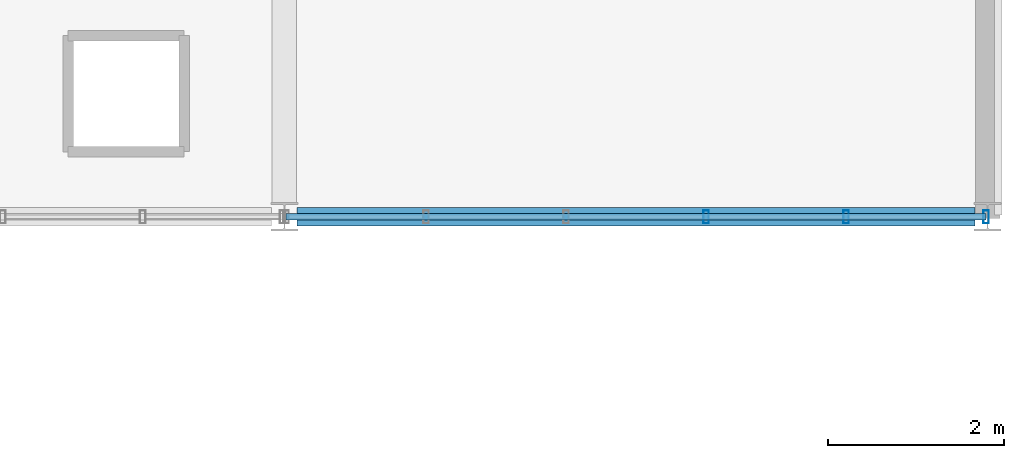
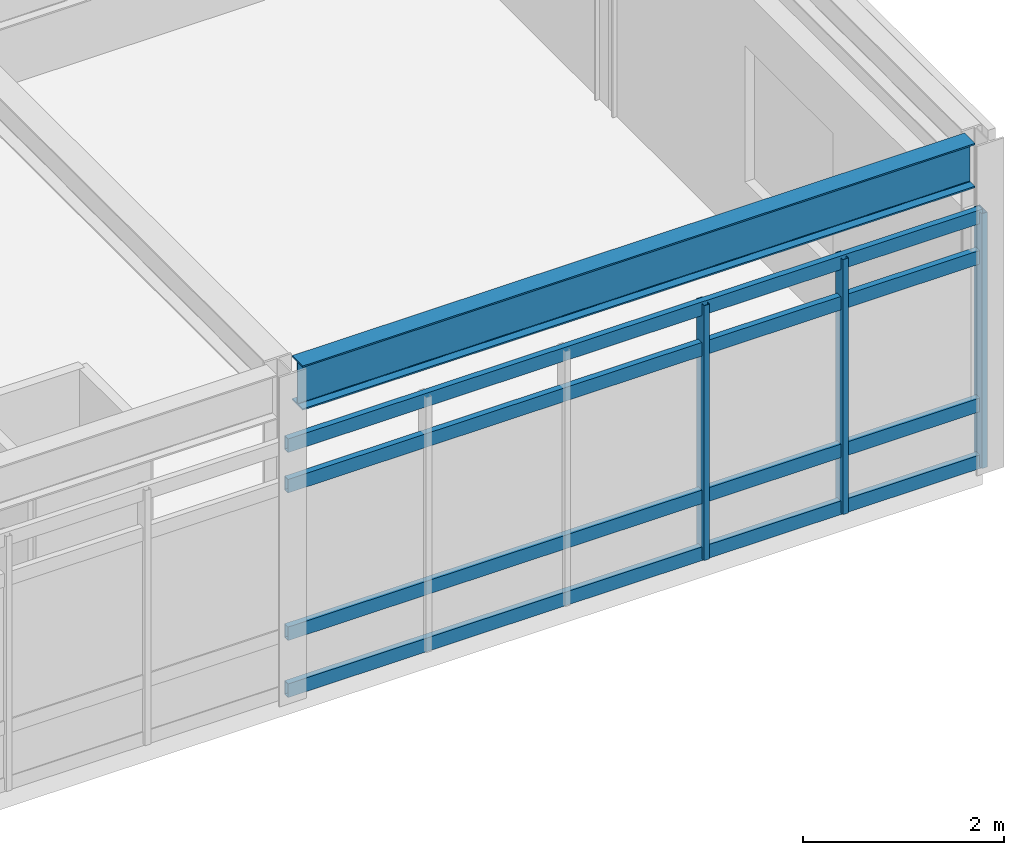
# One storey, part 52 of 85: 7 members, 1 beam, 1 element without a shape of its own.
"""IFC4 building model written with IfcOpenShell, lengths in metres."""

import ifcopenshell
import ifcopenshell.guid

model = None  # the IFC model being written
_history = None  # IfcOwnerHistory: only IFC2X3 demands one
_inside = {}  # id of a spatial element -> (the spatial element, [elements in it])
_under = {}  # id of a project, library or spatial element -> (it, [spatial elements below it])
_declared = {}  # id of a project -> (the project, [libraries it declares])
_typed = {}  # id of a type object -> (the type object, [elements of that type])
_made_of = {}  # id of a material, layer set ... -> (it, [elements and type objects made of it])


def new_model(schema):
    """Start an empty IFC model of exactly this schema.

    Asked for "IFC4X3", IfcOpenShell would pick the latest addendum, in which some entities
    have other attributes; the version numbers below select the first issue.
    IFC2X3 requires an IfcOwnerHistory on every rooted entity: one is made here for all.
    """
    global model, _history
    if schema == "IFC4X3":
        model = ifcopenshell.file(schema_version=(4, 3, 0, 0))
    else:
        model = ifcopenshell.file(schema=schema)
    _inside.clear()
    _under.clear()
    _declared.clear()
    _typed.clear()
    _made_of.clear()
    _history = None
    if model.schema == "IFC2X3":
        org = make("IfcOrganization", Name="unknown")
        user = make(
            "IfcPersonAndOrganization",
            ThePerson=make("IfcPerson", FamilyName="unknown"),
            TheOrganization=org,
        )
        app = make(
            "IfcApplication",
            ApplicationDeveloper=org,
            Version="unknown",
            ApplicationFullName="unknown",
            ApplicationIdentifier="unknown",
        )
        _history = make(
            "IfcOwnerHistory",
            OwningUser=user,
            OwningApplication=app,
            ChangeAction="ADDED",
            CreationDate=0,
        )
    return model


def make(cls, **values):
    """One entity of the class cls with the attributes given. An attribute that is None is left unset."""
    return model.create_entity(
        cls, **{name: value for name, value in values.items() if value is not None}
    )


def rooted(cls, **values):
    """An entity with a GlobalId (a new one), such as an element, a storey or a relation."""
    return make(cls, GlobalId=ifcopenshell.guid.new(), OwnerHistory=_history, **values)


def si_unit(unit_type, name, prefix=None):
    """IfcSIUnit, for example si_unit("LENGTHUNIT", "METRE", prefix="MILLI")."""
    return make("IfcSIUnit", UnitType=unit_type, Prefix=prefix, Name=name)


def assignment(units):
    """IfcUnitAssignment: the units of a project."""
    return None if units is None else make("IfcUnitAssignment", Units=units)


def point(xyz):
    """IfcCartesianPoint."""
    return None if xyz is None else make("IfcCartesianPoint", Coordinates=xyz)


def direction(xyz):
    """IfcDirection."""
    return None if xyz is None else make("IfcDirection", DirectionRatios=xyz)


def frame(location, z_axis=None, x_axis=None):
    """IfcAxis2Placement3D, a coordinate frame: its origin and axes. An axis left out is left unset."""
    return make(
        "IfcAxis2Placement3D",
        Location=point(location),
        Axis=direction(z_axis),
        RefDirection=direction(x_axis),
    )


def frame_2d(location, x_axis=None):
    """IfcAxis2Placement2D, a coordinate frame in the plane: its origin and x axis."""
    return make(
        "IfcAxis2Placement2D", Location=point(location), RefDirection=direction(x_axis)
    )


def origin():
    """The frame at (0, 0, 0) with its axes left unset."""
    return frame((0.0, 0.0, 0.0))


def origin_2d():
    """The frame at (0, 0) in the plane with its x axis left unset."""
    return frame_2d((0.0, 0.0))


def place(relative_to, where):
    """IfcLocalPlacement: puts the frame where relative to a parent placement (None: the world)."""
    return make(
        "IfcLocalPlacement", PlacementRelTo=relative_to, RelativePlacement=where
    )


def context(
    kind, dimensions, precision=None, world=None, true_north=None, identifier=None
):
    """IfcGeometricRepresentationContext, for example the 3D "Model" context."""
    return make(
        "IfcGeometricRepresentationContext",
        ContextIdentifier=identifier,
        ContextType=kind,
        CoordinateSpaceDimension=dimensions,
        Precision=precision,
        WorldCoordinateSystem=world,
        TrueNorth=true_north,
    )


def subcontext(parent, identifier, kind, view, scale=None):
    """IfcGeometricRepresentationSubContext, for example "Body" below "Model"."""
    return make(
        "IfcGeometricRepresentationSubContext",
        ContextIdentifier=identifier,
        ContextType=kind,
        ParentContext=parent,
        TargetScale=scale,
        TargetView=view,
    )


def project(units=None, contexts=None):
    """IfcProject with its units and contexts."""
    return rooted(
        "IfcProject",
        Name="project",
        RepresentationContexts=contexts,
        UnitsInContext=assignment(units),
    )


def spatial(cls, under=None, at=None, **own):
    """A site, building, storey or space (cls), placed at a placement, below another one or the project."""
    s = rooted(cls, ObjectPlacement=at, **own)
    if under is not None:
        _under.setdefault(under.id(), (under, []))[1].append(s)
    return s


def profile(cls, at=None, kind="AREA", **sizes):
    """A parametric profile (cls). Its sizes go by their IFC names, for example OverallWidth=200.0."""
    return make(cls, ProfileType=kind, Position=at, **sizes)


def hollow_rectangle(**sizes):
    """IfcRectangleHollowProfileDef."""
    return profile("IfcRectangleHollowProfileDef", **sizes)


def i_section(**sizes):
    """IfcIShapeProfileDef."""
    return profile("IfcIShapeProfileDef", **sizes)


def extrude(swept, where, along, depth):
    """IfcExtrudedAreaSolid: the profile swept, set in the frame where, extruded along a direction by depth."""
    return make(
        "IfcExtrudedAreaSolid",
        SweptArea=swept,
        Position=where,
        ExtrudedDirection=direction(along),
        Depth=depth,
    )


def shape(context_of_items, identifier, shape_type, items):
    """IfcShapeRepresentation: the items that make up one representation, for example the "Body"."""
    return make(
        "IfcShapeRepresentation",
        ContextOfItems=context_of_items,
        RepresentationIdentifier=identifier,
        RepresentationType=shape_type,
        Items=items,
    )


def material(Name=None, Category=None):
    """IfcMaterial."""
    return make("IfcMaterial", Name=Name, Category=Category)


def material_profile(
    of_material, cross_section, Name=None, Category=None, Priority=None
):
    """IfcMaterialProfile: a cross section and its material."""
    return make(
        "IfcMaterialProfile",
        Name=Name,
        Material=of_material,
        Profile=cross_section,
        Priority=Priority,
        Category=Category,
    )


def profile_set(profiles, Name=None, composite=None):
    """IfcMaterialProfileSet."""
    return make(
        "IfcMaterialProfileSet",
        Name=Name,
        MaterialProfiles=profiles,
        CompositeProfile=composite,
    )


def made_of(thing, what):
    """Note that an element or type object is made of a material, layer set ...; save() writes the relation."""
    if what is not None:
        _made_of.setdefault(what.id(), (what, []))[1].append(thing)
    return thing


def type_object(cls, material=None, **own):
    """A type object (cls), such as IfcWallType, which elements share."""
    return made_of(rooted(cls, **own), material)


def element(
    cls,
    number,
    at=None,
    inside=None,
    cuts=None,
    type_object=None,
    material=None,
    context=None,
    identifier="Body",
    shape_type=None,
    held_by="IfcProductDefinitionShape",
    body=None,
    shapes=None,
    **own,
):
    """One element of the class cls, such as IfcWall. Its Tag is "e" and its number.

    at: its placement. inside: the storey or other place that contains it. cuts: it is an
    opening in that element (IfcRelVoidsElement). A single representation is given by context,
    identifier, shape_type and body (its items); several are given by shapes. held_by: the class
    of the entity that holds the representations. save() writes the other relations.
    """
    e = rooted(cls, Tag="e%d" % number, ObjectPlacement=at, **own)
    if body is not None:
        shapes = [shape(context, identifier, shape_type, body)]
    if shapes is not None:
        e.Representation = make(held_by, Representations=shapes)
    if inside is not None:
        _inside.setdefault(inside.id(), (inside, []))[1].append(e)
    if cuts is not None:
        rooted(
            "IfcRelVoidsElement", RelatingBuildingElement=cuts, RelatedOpeningElement=e
        )
    if type_object is not None:
        _typed.setdefault(type_object.id(), (type_object, []))[1].append(e)
    return made_of(e, material)


def aggregate(whole, parts):
    """IfcRelAggregates: a whole, such as a stair, and the parts it consists of."""
    return rooted("IfcRelAggregates", RelatingObject=whole, RelatedObjects=parts)


def save(model, path):
    """Write the relations noted so far, then the file.

    IfcRelAggregates (storeys below a building ...), IfcRelContainedInSpatialStructure (elements
    in a storey), IfcRelDefinesByType, IfcRelAssociatesMaterial and IfcRelDeclares: one each for
    every whole, place, type object, material and project.
    """
    for whole, parts in _under.values():
        aggregate(whole, parts)
    for where, things in _inside.values():
        rooted(
            "IfcRelContainedInSpatialStructure",
            RelatedElements=things,
            RelatingStructure=where,
        )
    for kind, things in _typed.values():
        rooted("IfcRelDefinesByType", RelatedObjects=things, RelatingType=kind)
    for what, things in _made_of.values():
        rooted("IfcRelAssociatesMaterial", RelatedObjects=things, RelatingMaterial=what)
    for by, libraries in _declared.values():
        rooted("IfcRelDeclares", RelatingContext=by, RelatedDefinitions=libraries)
    model.write(path)


model = new_model("IFC4")

# Units and contexts
model_context = context("Model", 3, precision=1e-05, world=origin(), true_north=direction((0.0, 1.0)))
body_context = subcontext(model_context, "Body", "Model", "MODEL_VIEW")
ifc_project = project(units=[si_unit("LENGTHUNIT", "METRE"), si_unit("AREAUNIT", "SQUARE_METRE"), si_unit("VOLUMEUNIT", "CUBIC_METRE"), si_unit("PLANEANGLEUNIT", "RADIAN"), si_unit("MASSUNIT", "GRAM", prefix="KILO")], contexts=[model_context])

# Site, building, storey
site_placement = place(None, origin())
site = spatial("IfcSite", under=ifc_project, at=site_placement, CompositionType="ELEMENT")
building_placement = place(site_placement, origin())
building = spatial("IfcBuilding", under=site, at=building_placement, Name="Zulena Civic Courthouse", CompositionType="ELEMENT")
storey_placement = place(building_placement, frame((0.0, 0.0, 25.199951171875)))
storey = spatial("IfcBuildingStorey", under=building, at=storey_placement, Name="L05", CompositionType="ELEMENT", Elevation=25.199951171875)

# Curtain wall, members
ifc_material_1 = material(Name="Double-silver low-E laminated solar-control glass", Category="glass")
curtain_wall_type = type_object("IfcCurtainWallType", Name="CW_7964x3090", PredefinedType="USERDEFINED", material=ifc_material_1)
curtain_wall_placement = place(storey_placement, origin())
curtain_wall = element("IfcCurtainWall", 1, at=curtain_wall_placement, inside=storey, type_object=curtain_wall_type, Name="cw:V3:L05:3:0", ObjectType="UNITISED CURTAIN WALL", PredefinedType="USERDEFINED")
ifc_material_2 = material(Name="Bronze anodised thermally broken aluminium AA6063-T6", Category="aluminium")
ifc_material_profile_1 = material_profile(ifc_material_2, hollow_rectangle(XDim=0.06494140625, YDim=0.14990234375, WallThickness=0.00390625, at=origin_2d()), Name="CWM150X65X4")
ifc_profile_set_1 = profile_set([ifc_material_profile_1], Name="Bronze anodised thermally broken aluminium AA6063-T6")
member_type_1 = type_object("IfcMemberType", Name="CWMullion_150x65", PredefinedType="MULLION", material=ifc_profile_set_1)
member_1_placement = place(storey_placement, frame((163.98193359375, 30.800048828125, 0.0), z_axis=(0.0, 0.0, 1.0), x_axis=(1.0, 0.0, 0.0)))
member_1 = element("IfcMember", 2, at=member_1_placement, type_object=member_type_1, Name="cw:V3:L05:3:0:mull:0", PredefinedType="MULLION", context=body_context, shape_type="SweptSolid", body=[
    extrude(hollow_rectangle(XDim=0.06494140625, YDim=0.14990234375, WallThickness=0.00390625, at=origin_2d()), origin(), (0.0, 0.0, 1.0), 3.090087890625),
])
member_2_placement = place(storey_placement, frame((162.38916015625, 30.800048828125, 0.0), z_axis=(0.0, 0.0, 1.0), x_axis=(1.0, 0.0, 0.0)))
member_2 = element("IfcMember", 3, at=member_2_placement, type_object=member_type_1, Name="cw:V3:L05:3:0:mull:1", PredefinedType="MULLION", context=body_context, shape_type="SweptSolid", body=[
    extrude(hollow_rectangle(XDim=0.06494140625, YDim=0.14990234375, WallThickness=0.00390625, at=origin_2d()), origin(), (0.0, 0.0, 1.0), 3.090087890625),
])
member_3_placement = place(storey_placement, frame((160.79638671875, 30.800048828125, 0.0), z_axis=(0.0, 0.0, 1.0), x_axis=(1.0, 0.0, 0.0)))
member_3 = element("IfcMember", 4, at=member_3_placement, type_object=member_type_1, Name="cw:V3:L05:3:0:mull:2", PredefinedType="MULLION", context=body_context, shape_type="SweptSolid", body=[
    extrude(hollow_rectangle(XDim=0.06494140625, YDim=0.14990234375, WallThickness=0.00390625, at=origin_2d()), origin(), (0.0, 0.0, 1.0), 3.090087890625),
])
ifc_material_profile_2 = material_profile(ifc_material_2, hollow_rectangle(XDim=0.070068359375, YDim=0.1650390625, WallThickness=0.00390625, at=origin_2d()), Name="CWT165X70X4")
ifc_profile_set_2 = profile_set([ifc_material_profile_2], Name="Bronze anodised thermally broken aluminium AA6063-T6")
member_type_2 = type_object("IfcMemberType", Name="CWTransom_165x70", PredefinedType="USERDEFINED", material=ifc_profile_set_2)
member_4_placement = place(storey_placement, frame((163.98193359375, 30.800048828125, 0.06005859375), z_axis=(-1.0, 0.0, 0.0), x_axis=(0.0, -1.0, 0.0)))
member_4 = element("IfcMember", 5, at=member_4_placement, type_object=member_type_2, Name="cw:V3:L05:3:0:tran:0", ObjectType="TRANSOM", PredefinedType="USERDEFINED", context=body_context, shape_type="SweptSolid", body=[
    extrude(hollow_rectangle(XDim=0.070068359375, YDim=0.1650390625, WallThickness=0.00390625, at=origin_2d()), origin(), (0.0, 0.0, 1.0), 7.9638671875),
])
member_5_placement = place(storey_placement, frame((163.98193359375, 30.800048828125, 0.75), z_axis=(-1.0, 0.0, 0.0), x_axis=(0.0, -1.0, 0.0)))
member_5 = element("IfcMember", 6, at=member_5_placement, type_object=member_type_2, Name="cw:V3:L05:3:0:tran:1", ObjectType="TRANSOM", PredefinedType="USERDEFINED", context=body_context, shape_type="SweptSolid", body=[
    extrude(hollow_rectangle(XDim=0.070068359375, YDim=0.1650390625, WallThickness=0.00390625, at=origin_2d()), origin(), (0.0, 0.0, 1.0), 7.9638671875),
])
member_6_placement = place(storey_placement, frame((163.98193359375, 30.800048828125, 2.5400390625), z_axis=(-1.0, 0.0, 0.0), x_axis=(0.0, -1.0, 0.0)))
member_6 = element("IfcMember", 7, at=member_6_placement, type_object=member_type_2, Name="cw:V3:L05:3:0:tran:2", ObjectType="TRANSOM", PredefinedType="USERDEFINED", context=body_context, shape_type="SweptSolid", body=[
    extrude(hollow_rectangle(XDim=0.070068359375, YDim=0.1650390625, WallThickness=0.00390625, at=origin_2d()), origin(), (0.0, 0.0, 1.0), 7.9638671875),
])
member_7_placement = place(storey_placement, frame((163.98193359375, 30.800048828125, 3.030029296875), z_axis=(-1.0, 0.0, 0.0), x_axis=(0.0, -1.0, 0.0)))
member_7 = element("IfcMember", 8, at=member_7_placement, type_object=member_type_2, Name="cw:V3:L05:3:0:tran:3", ObjectType="TRANSOM", PredefinedType="USERDEFINED", context=body_context, shape_type="SweptSolid", body=[
    extrude(hollow_rectangle(XDim=0.070068359375, YDim=0.1650390625, WallThickness=0.00390625, at=origin_2d()), origin(), (0.0, 0.0, 1.0), 7.9638671875),
])
aggregate(curtain_wall, [member_1, member_2, member_3, member_4, member_5, member_6, member_7])

# Beam
ifc_material_3 = material(Name="Steel ASTM A992 Grade 50", Category="steel")
ifc_material_profile_3 = material_profile(ifc_material_3, i_section(OverallWidth=0.2099609375, OverallDepth=0.537109375, WebThickness=0.010986328125, FlangeThickness=0.017333984375, FilletRadius=0.0126953125, at=origin_2d()), Name="W21X68")
ifc_profile_set_3 = profile_set([ifc_material_profile_3], Name="Steel ASTM A992 Grade 50")
beam_type = type_object("IfcBeamType", Name="Spandrel_W21X68", PredefinedType="SPANDREL", material=ifc_profile_set_3)
beam_placement = place(storey_placement, frame((156.14501953125, 30.800048828125, 3.7265625), z_axis=(1.0, 0.0, 0.0), x_axis=(0.0, 1.0, 0.0)))
element("IfcBeam", 9, at=beam_placement, inside=storey, type_object=beam_type, Name="beam:X:V3:L05:30.8:156.0_164.0", PredefinedType="SPANDREL", context=body_context, shape_type="SweptSolid", body=[
    extrude(i_section(OverallWidth=0.2099609375, OverallDepth=0.537109375, WebThickness=0.010986328125, FlangeThickness=0.017333984375, FilletRadius=0.0126953125, at=origin_2d()), origin(), (0.0, 0.0, 1.0), 7.7099609375),
])

save(model, "model.ifc")
